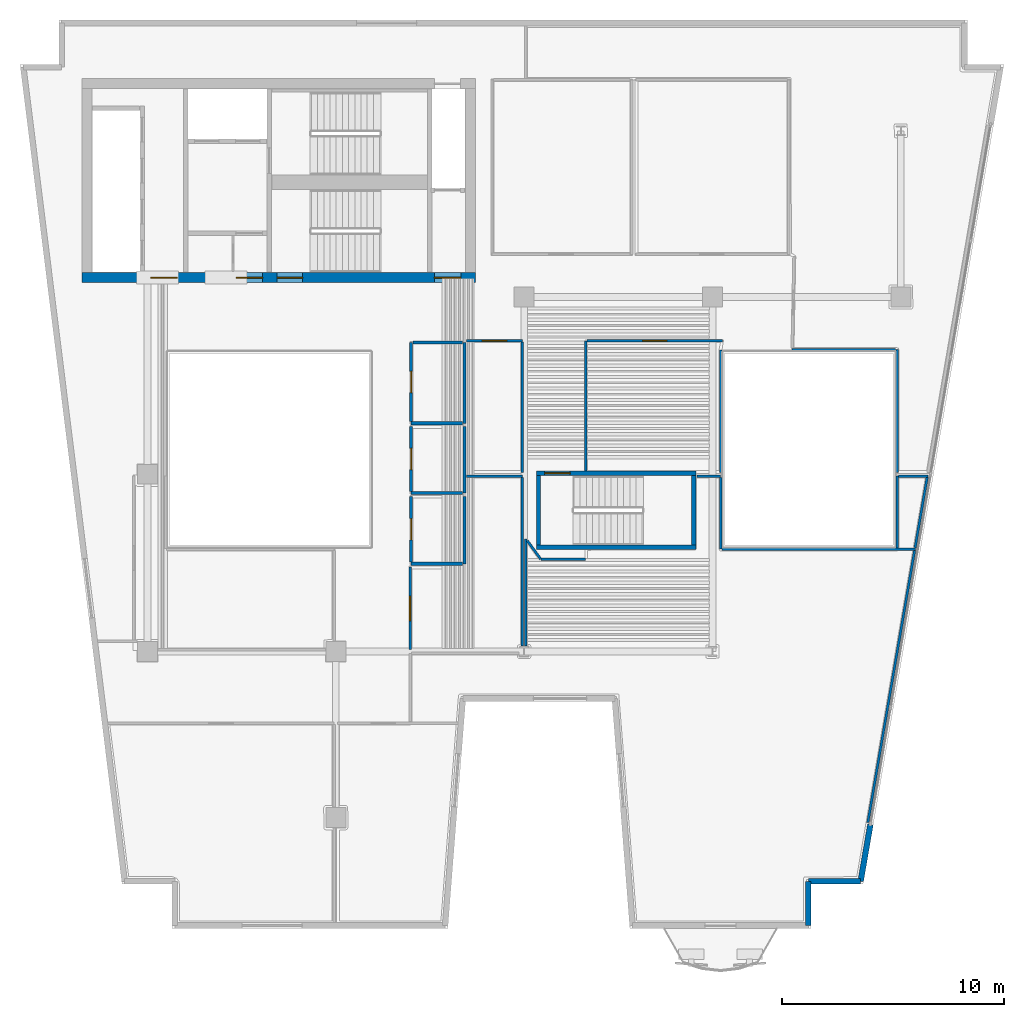
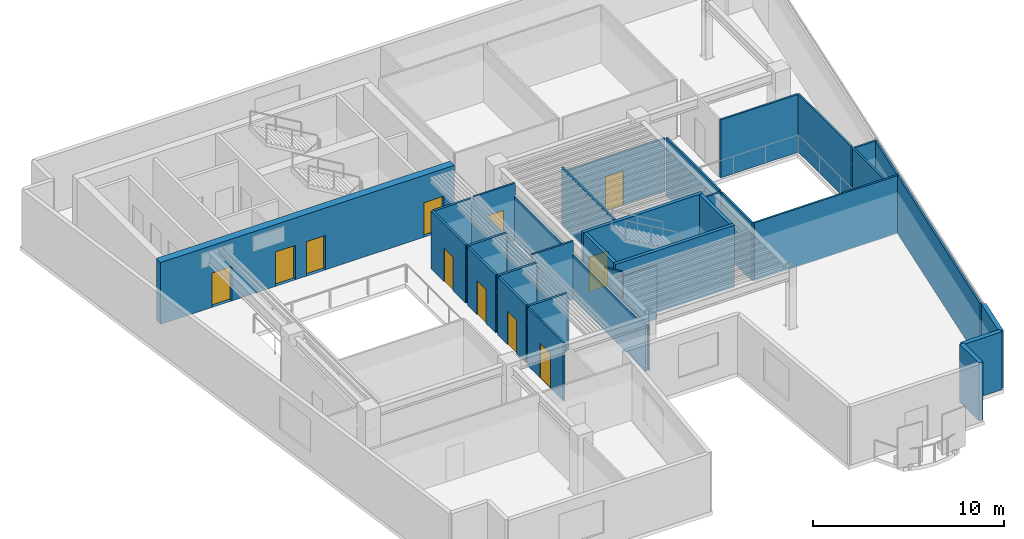
# One storey, part 4 of 10: 38 walls, 11 doors, 11 openings.
"""IFC4 building model written with IfcOpenShell, lengths in metres."""

from ifc_helpers import new_model, si_unit, direction, frame, frame_2d, origin, place, context, subcontext, project, spatial, rectangle, extrude, material, layer, layer_set, type_object, element, fill, save


model = new_model("IFC4")

# Units and contexts
model_context = context("Model", 3, precision=1e-05, world=origin(), true_north=direction((0.0, 1.0)))
body_context = subcontext(model_context, "Body", "Model", "MODEL_VIEW")
ifc_project = project(units=[si_unit("LENGTHUNIT", "METRE"), si_unit("AREAUNIT", "SQUARE_METRE"), si_unit("VOLUMEUNIT", "CUBIC_METRE"), si_unit("PLANEANGLEUNIT", "RADIAN"), si_unit("MASSUNIT", "GRAM", prefix="KILO")], contexts=[model_context])

# Site, building, storey
site_placement = place(None, origin())
site = spatial("IfcSite", under=ifc_project, at=site_placement, CompositionType="ELEMENT")
building_placement = place(site_placement, origin())
building = spatial("IfcBuilding", under=site, at=building_placement, Name="Caeloran Harvest Quay", CompositionType="ELEMENT")
storey_placement = place(building_placement, frame((0.0, 0.0, 191.64990234375)))
storey = spatial("IfcBuildingStorey", under=building, at=storey_placement, Name="L45", CompositionType="ELEMENT", Elevation=191.64990234375)

# Walls
ifc_material_1 = material(Name="Precast concrete C50/60", Category="concrete")
ifc_layer_1 = layer(ifc_material_1, 0.260009765625, Name="Precast concrete C50/60")
ifc_layer_set_1 = layer_set([ifc_layer_1], Name="Precast concrete C50/60")
wall_type_1 = type_object("IfcWallType", Name="ENV-WALL-EW-260", PredefinedType="STANDARD", material=ifc_layer_set_1)
wall_1_placement = place(storey_placement, frame((41.127685546875, 7.1923828125, 0.0), z_axis=(0.0, 0.0, 1.0), x_axis=(-0.169391215599, -0.98554889076, 0.0)))
element("IfcWall", 1, at=wall_1_placement, inside=storey, type_object=wall_type_1, Name="L45 Exterior Facade Corner Pier Wall 9B", PredefinedType="STANDARD", context=body_context, shape_type="SweptSolid", body=[
    extrude(rectangle(XDim=2.60009765625, YDim=0.260009765625, at=frame_2d((1.300048828125, 0.0))), origin(), (0.0, 0.0, 1.0), 3.7001953125),
])
wall_2_placement = place(storey_placement, frame((40.687255859375, 4.6298828125, 0.0), z_axis=(0.0, 0.0, 1.0), x_axis=(-1.0, 0.0, 0.0)))
element("IfcWall", 2, at=wall_2_placement, inside=storey, type_object=wall_type_1, Name="L45 Exterior Precast Concrete Facade Wall 10", PredefinedType="STANDARD", context=body_context, shape_type="SweptSolid", body=[
    extrude(rectangle(XDim=2.3642578125, YDim=0.260009765625, at=frame_2d((1.18212890625, 0.0))), origin(), (0.0, 0.0, 1.0), 3.7001953125),
])
wall_3_placement = place(storey_placement, frame((38.322998046875, 4.6298828125, 0.0), z_axis=(0.0, 0.0, 1.0), x_axis=(0.0, -1.0, 0.0)))
element("IfcWall", 3, at=wall_3_placement, inside=storey, type_object=wall_type_1, Name="L45 Exterior Precast Concrete Facade Wall 11", PredefinedType="STANDARD", context=body_context, shape_type="SweptSolid", body=[
    extrude(rectangle(XDim=2.0, YDim=0.260009765625, at=frame_2d((1.0, 0.0))), origin(), (0.0, 0.0, 1.0), 3.7001953125),
])
ifc_material_2 = material(Name="Single-Stud Acoustic Gypsum Office Partition", Category="gypsum")
ifc_layer_2 = layer(ifc_material_2, 0.112060546875, Name="Single-Stud Acoustic Gypsum Office Partition")
ifc_layer_set_2 = layer_set([ifc_layer_2], Name="Single-Stud Acoustic Gypsum Office Partition")
wall_type_2 = type_object("IfcWallType", Name="INT-WALL-PW-112", PredefinedType="PARTITIONING", material=ifc_layer_set_2)
wall_4_placement = place(storey_placement, frame((25.580078125, 15.248046875, 0.0), z_axis=(0.0, 0.0, 1.0), x_axis=(0.0, 1.0, 0.0)))
element("IfcWall", 4, at=wall_4_placement, inside=storey, type_object=wall_type_2, Name="Commodities Research Office Partition Wall", PredefinedType="PARTITIONING", context=body_context, shape_type="SweptSolid", body=[
    extrude(rectangle(XDim=4.8388671875, YDim=0.112060546875, at=frame_2d((2.41943359375, 0.0))), origin(), (0.0, 0.0, 1.0), 2.885009765625),
])
wall_5_placement = place(storey_placement, frame((25.64111328125, 20.003173828125, 0.0), z_axis=(0.0, 0.0, 1.0), x_axis=(0.588143517869, -0.808756577957, 0.0)))
element("IfcWall", 5, at=wall_5_placement, inside=storey, type_object=wall_type_2, Name="Commodities Research Office Partition Wall", PredefinedType="PARTITIONING", context=body_context, shape_type="SweptSolid", body=[
    extrude(rectangle(XDim=1.0302734375, YDim=0.112060546875, at=frame_2d((0.51513671875, 0.0))), origin(), (0.0, 0.0, 1.0), 3.7001953125),
])
wall_6_placement = place(storey_placement, frame((26.255615234375, 19.169921875, 0.0), z_axis=(0.0, 0.0, 1.0), x_axis=(1.0, 0.0, 0.0)))
element("IfcWall", 6, at=wall_6_placement, inside=storey, type_object=wall_type_2, Name="Commodities Research Office Partition Wall", PredefinedType="PARTITIONING", context=body_context, shape_type="SweptSolid", body=[
    extrude(rectangle(XDim=2.0244140625, YDim=0.112060546875, at=frame_2d((1.01220703125, 0.0))), origin(), (0.0, 0.0, 1.0), 3.385009765625),
])
wall_7_placement = place(storey_placement, frame((33.310791015625, 22.919921875, 0.0), z_axis=(0.0, 0.0, 1.0), x_axis=(1.0, 0.0, 0.0)))
element("IfcWall", 7, at=wall_7_placement, inside=storey, type_object=wall_type_2, Name="Commodities Research Office Partition Wall", PredefinedType="PARTITIONING", context=body_context, shape_type="SweptSolid", body=[
    extrude(rectangle(XDim=1.059326171875, YDim=0.112060546875, at=frame_2d((0.52978515625, 0.0))), origin(), (0.0, 0.0, 1.0), 3.7001953125),
])
wall_8_placement = place(storey_placement, frame((34.3701171875, 22.85888671875, 0.0), z_axis=(0.0, 0.0, 1.0), x_axis=(0.0, -1.0, 0.0)))
element("IfcWall", 8, at=wall_8_placement, inside=storey, type_object=wall_type_2, Name="Commodities Research Office Partition Wall", PredefinedType="PARTITIONING", context=body_context, shape_type="SweptSolid", body=[
    extrude(rectangle(XDim=3.23876953125, YDim=0.112060546875, at=frame_2d((1.619384765625, 0.0))), origin(), (0.0, 0.0, 1.0), 3.7001953125),
])
wall_9_placement = place(storey_placement, frame((34.430908203125, 19.6201171875, 0.0), z_axis=(0.0, 0.0, 1.0), x_axis=(1.0, 0.0, 0.0)))
element("IfcWall", 9, at=wall_9_placement, inside=storey, type_object=wall_type_2, Name="Commodities Research Office Partition Wall", PredefinedType="PARTITIONING", context=body_context, shape_type="SweptSolid", body=[
    extrude(rectangle(XDim=8.72607421875, YDim=0.112060546875, at=frame_2d((4.363037109375, 0.0))), origin(), (0.0, 0.0, 1.0), 3.7001953125),
])
wall_10_placement = place(storey_placement, frame((42.330078125, 19.680908203125, 0.0), z_axis=(0.0, 0.0, 1.0), x_axis=(0.0, 1.0, 0.0)))
element("IfcWall", 10, at=wall_10_placement, inside=storey, type_object=wall_type_2, Name="Commodities Research Office Partition Wall", PredefinedType="PARTITIONING", context=body_context, shape_type="SweptSolid", body=[
    extrude(rectangle(XDim=3.239013671875, YDim=0.112060546875, at=frame_2d((1.61962890625, 0.0))), origin(), (0.0, 0.0, 1.0), 3.7001953125),
])
wall_11_placement = place(storey_placement, frame((42.39111328125, 22.919921875, 0.0), z_axis=(0.0, 0.0, 1.0), x_axis=(1.0, 0.0, 0.0)))
element("IfcWall", 11, at=wall_11_placement, inside=storey, type_object=wall_type_2, Name="Commodities Research Office Partition Wall", PredefinedType="PARTITIONING", context=body_context, shape_type="SweptSolid", body=[
    extrude(rectangle(XDim=1.333251953125, YDim=0.112060546875, at=frame_2d((0.66650390625, 0.0))), origin(), (0.0, 0.0, 1.0), 3.7001953125),
])
wall_12_placement = place(storey_placement, frame((43.6884765625, 22.85888671875, 0.0), z_axis=(0.0, 0.0, 1.0), x_axis=(-0.169369383288, -0.985552642939, 0.0)))
element("IfcWall", 12, at=wall_12_placement, inside=storey, type_object=wall_type_2, Name="Commodities Research Office Partition Wall", PredefinedType="PARTITIONING", context=body_context, shape_type="SweptSolid", body=[
    extrude(rectangle(XDim=3.224609375, YDim=0.112060546875, at=frame_2d((1.6123046875, 0.0))), origin(), (0.0, 0.0, 1.0), 3.7001953125),
])
wall_13_placement = place(storey_placement, frame((43.121337890625, 19.55908203125, 0.0), z_axis=(0.0, 0.0, 1.0), x_axis=(-0.169383185032, -0.98555027098, 0.0)))
element("IfcWall", 13, at=wall_13_placement, inside=storey, type_object=wall_type_2, Name="Commodities Research Office Partition Wall", PredefinedType="PARTITIONING", context=body_context, shape_type="SweptSolid", body=[
    extrude(rectangle(XDim=12.45751953125, YDim=0.112060546875, at=frame_2d((6.228759765625, 0.0))), origin(), (0.0, 0.0, 1.0), 3.7001953125),
])
wall_14_placement = place(storey_placement, frame((22.909912109375, 22.919921875, 0.0), z_axis=(0.0, 0.0, 1.0), x_axis=(1.0, 0.0, 0.0)))
element("IfcWall", 14, at=wall_14_placement, inside=storey, type_object=wall_type_2, Name="Managing Director Corner Office Partition Wall", PredefinedType="PARTITIONING", context=body_context, shape_type="SweptSolid", body=[
    extrude(rectangle(XDim=2.510009765625, YDim=0.112060546875, at=frame_2d((1.2548828125, 0.0))), origin(), (0.0, 0.0, 1.0), 3.7001953125),
])
wall_15_placement = place(storey_placement, frame((25.419921875, 22.85888671875, 0.0), z_axis=(0.0, 0.0, 1.0), x_axis=(0.0, -1.0, 0.0)))
element("IfcWall", 15, at=wall_15_placement, inside=storey, type_object=wall_type_2, Name="Managing Director Corner Office Partition Wall", PredefinedType="PARTITIONING", context=body_context, shape_type="SweptSolid", body=[
    extrude(rectangle(XDim=7.61083984375, YDim=0.112060546875, at=frame_2d((3.805419921875, 0.0))), origin(), (0.0, 0.0, 1.0), 2.885009765625),
])

# Wall, opening, door
wall_16_placement = place(storey_placement, frame((20.35009765625, 15.080078125, 0.0), z_axis=(0.0, 0.0, 1.0), x_axis=(0.0, 1.0, 0.0)))
wall_16 = element("IfcWall", 16, at=wall_16_placement, inside=storey, type_object=wall_type_2, Name="Managing Director Corner Office Partition Wall", PredefinedType="PARTITIONING", context=body_context, shape_type="SweptSolid", body=[
    extrude(rectangle(XDim=3.72998046875, YDim=0.112060546875, at=frame_2d((1.864990234375, 0.0))), origin(), (0.0, 0.0, 1.0), 3.7001953125),
])
opening_1_placement = place(wall_16_placement, frame((1.31494140625, 0.0, 0.0)))
opening_1 = element("IfcOpeningElement", 17, at=opening_1_placement, cuts=wall_16, Name="Opening ID-04", PredefinedType="OPENING", context=body_context, shape_type="SweptSolid", body=[
    extrude(rectangle(XDim=1.10009765625, YDim=2.199951171875, at=frame_2d((0.550048828125, 1.10009765625))), frame((0.0, 0.06591796875, 0.0), z_axis=(0.0, -1.0, 0.0), x_axis=(1.0, 0.0, 0.0)), (0.0, 0.0, 1.0), 0.132080078125),
])
ifc_material_3 = material(Name="Acoustic Walnut Veneer Executive Door", Category="wood")
door_type_1 = type_object("IfcDoorType", Name="INTDOOR-ID-04", OperationType="NOTDEFINED", PredefinedType="DOOR", material=ifc_material_3)
door_1_placement = place(opening_1_placement, origin())
door_1 = element("IfcDoor", 18, at=door_1_placement, inside=storey, type_object=door_type_1, Name="Managing Director Corner Office Access Door", OperationType="SINGLE_SWING_LEFT", OverallHeight=2.199951171875, OverallWidth=1.10009765625, PredefinedType="DOOR", context=body_context, shape_type="SweptSolid", body=[
    extrude(rectangle(XDim=1.10009765625, YDim=2.199951171875, at=frame_2d((0.550048828125, 1.10009765625))), frame((0.0, 0.02490234375, 0.0), z_axis=(0.0, -1.0, 0.0), x_axis=(1.0, 0.0, 0.0)), (0.0, 0.0, 1.0), 0.050048828125),
])
fill(opening_1, door_1)

wall_17_placement = place(storey_placement, frame((22.909912109375, 29.02001953125, 0.0), z_axis=(0.0, 0.0, 1.0), x_axis=(1.0, 0.0, 0.0)))
wall_17 = element("IfcWall", 19, at=wall_17_placement, inside=storey, type_object=wall_type_2, Name="Harbour View Boardroom Partition Wall", PredefinedType="PARTITIONING", context=body_context, shape_type="SweptSolid", body=[
    extrude(rectangle(XDim=2.510009765625, YDim=0.112060546875, at=frame_2d((1.2548828125, 0.0))), origin(), (0.0, 0.0, 1.0), 3.7001953125),
])
opening_2_placement = place(wall_17_placement, frame((0.705078125, 0.0, 0.0)))
opening_2 = element("IfcOpeningElement", 20, at=opening_2_placement, cuts=wall_17, Name="Opening ID-04", PredefinedType="OPENING", context=body_context, shape_type="SweptSolid", body=[
    extrude(rectangle(XDim=1.10009765625, YDim=2.199951171875, at=frame_2d((0.550048828125, 1.10009765625))), frame((0.0, 0.06591796875, 0.0), z_axis=(0.0, -1.0, 0.0), x_axis=(1.0, 0.0, 0.0)), (0.0, 0.0, 1.0), 0.132080078125),
])
door_2_placement = place(opening_2_placement, origin())
door_2 = element("IfcDoor", 21, at=door_2_placement, inside=storey, type_object=door_type_1, Name="Harbour View Boardroom Access Door", OperationType="SINGLE_SWING_RIGHT", OverallHeight=2.199951171875, OverallWidth=1.10009765625, PredefinedType="DOOR", context=body_context, shape_type="SweptSolid", body=[
    extrude(rectangle(XDim=1.10009765625, YDim=2.199951171875, at=frame_2d((0.550048828125, 1.10009765625))), frame((0.0, 0.02490234375, 0.0), z_axis=(0.0, -1.0, 0.0), x_axis=(1.0, 0.0, 0.0)), (0.0, 0.0, 1.0), 0.050048828125),
])
fill(opening_2, door_2)

# Walls
wall_18_placement = place(storey_placement, frame((25.419921875, 28.958984375, 0.0), z_axis=(0.0, 0.0, 1.0), x_axis=(0.0, -1.0, 0.0)))
element("IfcWall", 22, at=wall_18_placement, inside=storey, type_object=wall_type_2, Name="Harbour View Boardroom Partition Wall", PredefinedType="PARTITIONING", context=body_context, shape_type="SweptSolid", body=[
    extrude(rectangle(XDim=5.87890625, YDim=0.112060546875, at=frame_2d((2.939453125, 0.0))), origin(), (0.0, 0.0, 1.0), 2.885009765625),
])
wall_19_placement = place(storey_placement, frame((34.3701171875, 28.60009765625, 0.0), z_axis=(0.0, 0.0, 1.0), x_axis=(0.0, -1.0, 0.0)))
element("IfcWall", 23, at=wall_19_placement, inside=storey, type_object=wall_type_2, Name="Client Hospitality Lounge Partition Wall", PredefinedType="PARTITIONING", context=body_context, shape_type="SweptSolid", body=[
    extrude(rectangle(XDim=5.52001953125, YDim=0.112060546875, at=frame_2d((2.760009765625, 0.0))), origin(), (0.0, 0.0, 1.0), 3.7001953125),
])
wall_20_placement = place(storey_placement, frame((28.280029296875, 23.155029296875, 0.0), z_axis=(0.0, 0.0, 1.0), x_axis=(0.0, 1.0, 0.0)))
element("IfcWall", 24, at=wall_20_placement, inside=storey, type_object=wall_type_2, Name="Client Hospitality Lounge Partition Wall", PredefinedType="PARTITIONING", context=body_context, shape_type="SweptSolid", body=[
    extrude(rectangle(XDim=5.864990234375, YDim=0.112060546875, at=frame_2d((2.9326171875, 0.0))), origin(), (0.0, 0.0, 1.0), 3.7001953125),
])

# Wall, opening, door
wall_21_placement = place(storey_placement, frame((28.341064453125, 29.02001953125, 0.0), z_axis=(0.0, 0.0, 1.0), x_axis=(1.0, 0.0, 0.0)))
wall_21 = element("IfcWall", 25, at=wall_21_placement, inside=storey, type_object=wall_type_2, Name="Client Hospitality Lounge Partition Wall", PredefinedType="PARTITIONING", context=body_context, shape_type="SweptSolid", body=[
    extrude(rectangle(XDim=6.11083984375, YDim=0.112060546875, at=frame_2d((3.055419921875, 0.0))), origin(), (0.0, 0.0, 1.0), 3.385009765625),
])
opening_3_placement = place(wall_21_placement, frame((2.505615234375, 0.0, 0.0)))
opening_3 = element("IfcOpeningElement", 26, at=opening_3_placement, cuts=wall_21, Name="Opening ID-04", PredefinedType="OPENING", context=body_context, shape_type="SweptSolid", body=[
    extrude(rectangle(XDim=1.10009765625, YDim=2.199951171875, at=frame_2d((0.550048828125, 1.10009765625))), frame((0.0, 0.06591796875, 0.0), z_axis=(0.0, -1.0, 0.0), x_axis=(1.0, 0.0, 0.0)), (0.0, 0.0, 1.0), 0.132080078125),
])
door_3_placement = place(opening_3_placement, origin())
door_3 = element("IfcDoor", 27, at=door_3_placement, inside=storey, type_object=door_type_1, Name="Client Hospitality Lounge Access Door", OperationType="SINGLE_SWING_LEFT", OverallHeight=2.199951171875, OverallWidth=1.10009765625, PredefinedType="DOOR", context=body_context, shape_type="SweptSolid", body=[
    extrude(rectangle(XDim=1.10009765625, YDim=2.199951171875, at=frame_2d((0.550048828125, 1.10009765625))), frame((0.0, 0.02490234375, 0.0), z_axis=(0.0, -1.0, 0.0), x_axis=(1.0, 0.0, 0.0)), (0.0, 0.0, 1.0), 0.050048828125),
])
fill(opening_3, door_3)

# Walls
wall_22_placement = place(storey_placement, frame((42.330078125, 23.080078125, 0.0), z_axis=(0.0, 0.0, 1.0), x_axis=(0.0, 1.0, 0.0)))
element("IfcWall", 28, at=wall_22_placement, inside=storey, type_object=wall_type_2, Name="Records Archive Laboratory Partition Wall", PredefinedType="PARTITIONING", context=body_context, shape_type="SweptSolid", body=[
    extrude(rectangle(XDim=5.5498046875, YDim=0.112060546875, at=frame_2d((2.77490234375, 0.0))), origin(), (0.0, 0.0, 1.0), 3.7001953125),
])
wall_23_placement = place(storey_placement, frame((42.26904296875, 28.6298828125, 0.0), z_axis=(0.0, 0.0, 1.0), x_axis=(-1.0, 0.0, 0.0)))
element("IfcWall", 29, at=wall_23_placement, inside=storey, type_object=wall_type_2, Name="Records Archive Laboratory Partition Wall", PredefinedType="PARTITIONING", context=body_context, shape_type="SweptSolid", body=[
    extrude(rectangle(XDim=4.671142578125, YDim=0.112060546875, at=frame_2d((2.33544921875, 0.0))), origin(), (0.0, 0.0, 1.0), 3.7001953125),
])
ifc_material_4 = material(Name="Moisture-Resistant Cement-Board Sanitary Partition", Category="gypsum")
ifc_layer_3 = layer(ifc_material_4, 0.139892578125, Name="Moisture-Resistant Cement-Board Sanitary Partition")
ifc_layer_set_3 = layer_set([ifc_layer_3], Name="Moisture-Resistant Cement-Board Sanitary Partition")
wall_type_3 = type_object("IfcWallType", Name="INT-WALL-PW-140", PredefinedType="PARTITIONING", material=ifc_layer_set_3)
wall_24_placement = place(storey_placement, frame((22.800048828125, 28.949951171875, 0.0), z_axis=(0.0, 0.0, 1.0), x_axis=(0.0, -1.0, 0.0)))
element("IfcWall", 30, at=wall_24_placement, inside=storey, type_object=wall_type_3, Name="L45 Male Washroom WC Partition Wall", PredefinedType="PARTITIONING", context=body_context, shape_type="SweptSolid", body=[
    extrude(rectangle(XDim=3.64990234375, YDim=0.139892578125, at=frame_2d((1.824951171875, 0.0))), origin(), (0.0, 0.0, 1.0), 3.385009765625),
])
wall_25_placement = place(storey_placement, frame((22.72509765625, 25.300048828125, 0.0), z_axis=(0.0, 0.0, 1.0), x_axis=(-1.0, 0.0, 0.0)))
element("IfcWall", 31, at=wall_25_placement, inside=storey, type_object=wall_type_3, Name="L45 Male Washroom WC Partition Wall", PredefinedType="PARTITIONING", context=body_context, shape_type="SweptSolid", body=[
    extrude(rectangle(XDim=2.3251953125, YDim=0.139892578125, at=frame_2d((1.16259765625, 0.0))), origin(), (0.0, 0.0, 1.0), 3.7001953125),
])

# Wall, opening, door
wall_26_placement = place(storey_placement, frame((20.39990234375, 25.375, 0.0), z_axis=(0.0, 0.0, 1.0), x_axis=(0.0, 1.0, 0.0)))
wall_26 = element("IfcWall", 32, at=wall_26_placement, inside=storey, type_object=wall_type_3, Name="L45 Male Washroom WC Partition Wall", PredefinedType="PARTITIONING", context=body_context, shape_type="SweptSolid", body=[
    extrude(rectangle(XDim=3.574951171875, YDim=0.139892578125, at=frame_2d((1.78759765625, 0.0))), origin(), (0.0, 0.0, 1.0), 3.7001953125),
])
opening_4_placement = place(wall_26_placement, frame((1.3125, 0.0, 0.0)))
opening_4 = element("IfcOpeningElement", 33, at=opening_4_placement, cuts=wall_26, Name="Opening WC-01", PredefinedType="OPENING", context=body_context, shape_type="SweptSolid", body=[
    extrude(rectangle(XDim=0.949951171875, YDim=2.14990234375, at=frame_2d((0.47509765625, 1.074951171875))), frame((0.0, 0.080078125, 0.0), z_axis=(0.0, -1.0, 0.0), x_axis=(1.0, 0.0, 0.0)), (0.0, 0.0, 1.0), 0.159912109375),
])
ifc_material_5 = material(Name="High-Pressure Laminate Moisture-Resistant Timber", Category="wood")
door_type_2 = type_object("IfcDoorType", Name="INTDOOR-WC-01", OperationType="NOTDEFINED", PredefinedType="DOOR", material=ifc_material_5)
door_4_placement = place(opening_4_placement, origin())
door_4 = element("IfcDoor", 34, at=door_4_placement, inside=storey, type_object=door_type_2, Name="L45 Male Washroom WC Access Door", OperationType="SINGLE_SWING_RIGHT", OverallHeight=2.14990234375, OverallWidth=0.949951171875, PredefinedType="DOOR", context=body_context, shape_type="SweptSolid", body=[
    extrude(rectangle(XDim=0.949951171875, YDim=2.14990234375, at=frame_2d((0.47509765625, 1.074951171875))), frame((0.0, 0.02490234375, 0.0), z_axis=(0.0, -1.0, 0.0), x_axis=(1.0, 0.0, 0.0)), (0.0, 0.0, 1.0), 0.050048828125),
])
fill(opening_4, door_4)

# Walls
wall_27_placement = place(storey_placement, frame((20.47509765625, 28.949951171875, 0.0), z_axis=(0.0, 0.0, 1.0), x_axis=(1.0, 0.0, 0.0)))
element("IfcWall", 35, at=wall_27_placement, inside=storey, type_object=wall_type_3, Name="L45 Male Washroom WC Partition Wall", PredefinedType="PARTITIONING", context=body_context, shape_type="SweptSolid", body=[
    extrude(rectangle(XDim=2.25, YDim=0.139892578125, at=frame_2d((1.125, 0.0))), origin(), (0.0, 0.0, 1.0), 3.7001953125),
])
wall_28_placement = place(storey_placement, frame((22.800048828125, 25.14990234375, 0.0), z_axis=(0.0, 0.0, 1.0), x_axis=(0.0, -1.0, 0.0)))
element("IfcWall", 36, at=wall_28_placement, inside=storey, type_object=wall_type_3, Name="L45 Female Washroom WC Partition Wall", PredefinedType="PARTITIONING", context=body_context, shape_type="SweptSolid", body=[
    extrude(rectangle(XDim=3.0, YDim=0.139892578125, at=frame_2d((1.5, 0.0))), origin(), (0.0, 0.0, 1.0), 3.385009765625),
])
wall_29_placement = place(storey_placement, frame((22.72509765625, 22.14990234375, 0.0), z_axis=(0.0, 0.0, 1.0), x_axis=(-1.0, 0.0, 0.0)))
element("IfcWall", 37, at=wall_29_placement, inside=storey, type_object=wall_type_3, Name="L45 Female Washroom WC Partition Wall", PredefinedType="PARTITIONING", context=body_context, shape_type="SweptSolid", body=[
    extrude(rectangle(XDim=2.3251953125, YDim=0.139892578125, at=frame_2d((1.16259765625, 0.0))), origin(), (0.0, 0.0, 1.0), 3.7001953125),
])

# Wall, opening, door
wall_30_placement = place(storey_placement, frame((20.39990234375, 22.22509765625, 0.0), z_axis=(0.0, 0.0, 1.0), x_axis=(0.0, 1.0, 0.0)))
wall_30 = element("IfcWall", 38, at=wall_30_placement, inside=storey, type_object=wall_type_3, Name="L45 Female Washroom WC Partition Wall", PredefinedType="PARTITIONING", context=body_context, shape_type="SweptSolid", body=[
    extrude(rectangle(XDim=2.9248046875, YDim=0.139892578125, at=frame_2d((1.46240234375, 0.0))), origin(), (0.0, 0.0, 1.0), 3.7001953125),
])
opening_5_placement = place(wall_30_placement, frame((0.987548828125, 0.0, 0.0)))
opening_5 = element("IfcOpeningElement", 39, at=opening_5_placement, cuts=wall_30, Name="Opening WC-01", PredefinedType="OPENING", context=body_context, shape_type="SweptSolid", body=[
    extrude(rectangle(XDim=0.949951171875, YDim=2.14990234375, at=frame_2d((0.47509765625, 1.074951171875))), frame((0.0, 0.080078125, 0.0), z_axis=(0.0, -1.0, 0.0), x_axis=(1.0, 0.0, 0.0)), (0.0, 0.0, 1.0), 0.159912109375),
])
door_5_placement = place(opening_5_placement, origin())
door_5 = element("IfcDoor", 40, at=door_5_placement, inside=storey, type_object=door_type_2, Name="L45 Female Washroom WC Access Door", OperationType="SINGLE_SWING_LEFT", OverallHeight=2.14990234375, OverallWidth=0.949951171875, PredefinedType="DOOR", context=body_context, shape_type="SweptSolid", body=[
    extrude(rectangle(XDim=0.949951171875, YDim=2.14990234375, at=frame_2d((0.47509765625, 1.074951171875))), frame((0.0, 0.02490234375, 0.0), z_axis=(0.0, -1.0, 0.0), x_axis=(1.0, 0.0, 0.0)), (0.0, 0.0, 1.0), 0.050048828125),
])
fill(opening_5, door_5)

# Walls
wall_31_placement = place(storey_placement, frame((22.800048828125, 22.0, 0.0), z_axis=(0.0, 0.0, 1.0), x_axis=(0.0, -1.0, 0.0)))
element("IfcWall", 41, at=wall_31_placement, inside=storey, type_object=wall_type_3, Name="L45 Accessible Unisex Washroom WC Partition Wall", PredefinedType="PARTITIONING", context=body_context, shape_type="SweptSolid", body=[
    extrude(rectangle(XDim=3.0400390625, YDim=0.139892578125, at=frame_2d((1.52001953125, 0.0))), origin(), (0.0, 0.0, 1.0), 3.385009765625),
])
wall_32_placement = place(storey_placement, frame((22.72509765625, 18.9599609375, 0.0), z_axis=(0.0, 0.0, 1.0), x_axis=(-1.0, 0.0, 0.0)))
element("IfcWall", 42, at=wall_32_placement, inside=storey, type_object=wall_type_3, Name="L45 Accessible Unisex Washroom WC Partition Wall", PredefinedType="PARTITIONING", context=body_context, shape_type="SweptSolid", body=[
    extrude(rectangle(XDim=2.3251953125, YDim=0.139892578125, at=frame_2d((1.16259765625, 0.0))), origin(), (0.0, 0.0, 1.0), 3.7001953125),
])

# Wall, opening, door
wall_33_placement = place(storey_placement, frame((20.39990234375, 19.034912109375, 0.0), z_axis=(0.0, 0.0, 1.0), x_axis=(0.0, 1.0, 0.0)))
wall_33 = element("IfcWall", 43, at=wall_33_placement, inside=storey, type_object=wall_type_3, Name="L45 Accessible Unisex Washroom WC Partition Wall", PredefinedType="PARTITIONING", context=body_context, shape_type="SweptSolid", body=[
    extrude(rectangle(XDim=2.965087890625, YDim=0.139892578125, at=frame_2d((1.482421875, 0.0))), origin(), (0.0, 0.0, 1.0), 3.7001953125),
])
opening_6_placement = place(wall_33_placement, frame((1.007568359375, 0.0, 0.0)))
opening_6 = element("IfcOpeningElement", 44, at=opening_6_placement, cuts=wall_33, Name="Opening WC-01", PredefinedType="OPENING", context=body_context, shape_type="SweptSolid", body=[
    extrude(rectangle(XDim=0.949951171875, YDim=2.14990234375, at=frame_2d((0.47509765625, 1.074951171875))), frame((0.0, 0.080078125, 0.0), z_axis=(0.0, -1.0, 0.0), x_axis=(1.0, 0.0, 0.0)), (0.0, 0.0, 1.0), 0.159912109375),
])
door_6_placement = place(opening_6_placement, origin())
door_6 = element("IfcDoor", 45, at=door_6_placement, inside=storey, type_object=door_type_2, Name="L45 Accessible Unisex Washroom WC Access Door", OperationType="SINGLE_SWING_RIGHT", OverallHeight=2.14990234375, OverallWidth=0.949951171875, PredefinedType="DOOR", context=body_context, shape_type="SweptSolid", body=[
    extrude(rectangle(XDim=0.949951171875, YDim=2.14990234375, at=frame_2d((0.47509765625, 1.074951171875))), frame((0.0, 0.02490234375, 0.0), z_axis=(0.0, -1.0, 0.0), x_axis=(1.0, 0.0, 0.0)), (0.0, 0.0, 1.0), 0.050048828125),
])
fill(opening_6, door_6)

# Wall, openings, doors
ifc_material_6 = material(Name="Concrete C60/75", Category="concrete")
ifc_layer_4 = layer(ifc_material_6, 0.449951171875, Name="Concrete C60/75")
ifc_layer_set_4 = layer_set([ifc_layer_4], Name="Concrete C60/75")
wall_type_4 = type_object("IfcWallType", Name="STR-WALL-CW-450", PredefinedType="SHEAR", material=ifc_layer_set_4)
wall_34_placement = place(storey_placement, frame((5.550048828125, 31.875, 0.0), z_axis=(0.0, 0.0, 1.0), x_axis=(1.0, 0.0, 0.0)))
wall_34 = element("IfcWall", 46, at=wall_34_placement, inside=storey, type_object=wall_type_4, Name="L45 Rear Core Shear Wall S", PredefinedType="SHEAR", context=body_context, shape_type="SweptSolid", body=[
    extrude(rectangle(XDim=17.75, YDim=0.449951171875, at=frame_2d((8.875, 0.0))), origin(), (0.0, 0.0, 1.0), 3.9501953125),
])
opening_7_placement = place(wall_34_placement, frame((3.10009765625, 0.0, 0.0)))
opening_7 = element("IfcOpeningElement", 47, at=opening_7_placement, cuts=wall_34, Name="Opening FD-01", PredefinedType="OPENING", context=body_context, shape_type="SweptSolid", body=[
    extrude(rectangle(XDim=1.199951171875, YDim=2.199951171875, at=frame_2d((0.60009765625, 1.10009765625))), frame((0.0, 0.23486328125, 0.0), z_axis=(0.0, -1.0, 0.0), x_axis=(1.0, 0.0, 0.0)), (0.0, 0.0, 1.0), 0.469970703125),
])
opening_8_placement = place(wall_34_placement, frame((6.949951171875, 0.0, 0.0)))
opening_8 = element("IfcOpeningElement", 48, at=opening_8_placement, cuts=wall_34, Name="Opening FD-01", PredefinedType="OPENING", context=body_context, shape_type="SweptSolid", body=[
    extrude(rectangle(XDim=1.199951171875, YDim=2.199951171875, at=frame_2d((0.60009765625, 1.10009765625))), frame((0.0, 0.23486328125, 0.0), z_axis=(0.0, -1.0, 0.0), x_axis=(1.0, 0.0, 0.0)), (0.0, 0.0, 1.0), 0.469970703125),
])
opening_9_placement = place(wall_34_placement, frame((8.800048828125, 0.0, 0.0)))
opening_9 = element("IfcOpeningElement", 49, at=opening_9_placement, cuts=wall_34, Name="Opening SD-01", PredefinedType="OPENING", context=body_context, shape_type="SweptSolid", body=[
    extrude(rectangle(XDim=1.14990234375, YDim=2.199951171875, at=frame_2d((0.574951171875, 1.10009765625))), frame((0.0, 0.23486328125, 0.0), z_axis=(0.0, -1.0, 0.0), x_axis=(1.0, 0.0, 0.0)), (0.0, 0.0, 1.0), 0.469970703125),
])
opening_10_placement = place(wall_34_placement, frame((15.89990234375, 0.0, 0.0)))
opening_10 = element("IfcOpeningElement", 50, at=opening_10_placement, cuts=wall_34, Name="Opening FD-01", PredefinedType="OPENING", context=body_context, shape_type="SweptSolid", body=[
    extrude(rectangle(XDim=1.199951171875, YDim=2.199951171875, at=frame_2d((0.60009765625, 1.10009765625))), frame((0.0, 0.23486328125, 0.0), z_axis=(0.0, -1.0, 0.0), x_axis=(1.0, 0.0, 0.0)), (0.0, 0.0, 1.0), 0.469970703125),
])
ifc_material_7 = material(Name="Steel", Category="steel")
door_type_3 = type_object("IfcDoorType", Name="INTDOOR-FD-01", OperationType="NOTDEFINED", PredefinedType="DOOR", material=ifc_material_7)
door_7_placement = place(opening_7_placement, origin())
door_7 = element("IfcDoor", 51, at=door_7_placement, inside=storey, type_object=door_type_3, Name="L45 High-Rise Lift Lobby Fire Door", OperationType="SINGLE_SWING_RIGHT", OverallHeight=2.199951171875, OverallWidth=1.199951171875, PredefinedType="DOOR", context=body_context, shape_type="SweptSolid", body=[
    extrude(rectangle(XDim=1.199951171875, YDim=2.199951171875, at=frame_2d((0.60009765625, 1.10009765625))), frame((0.0, 0.02490234375, 0.0), z_axis=(0.0, -1.0, 0.0), x_axis=(1.0, 0.0, 0.0)), (0.0, 0.0, 1.0), 0.050048828125),
])
fill(opening_7, door_7)
door_8_placement = place(opening_8_placement, origin())
door_8 = element("IfcDoor", 52, at=door_8_placement, inside=storey, type_object=door_type_3, Name="L45 Firefighting Lobby Vestibule Fire Door", OperationType="SINGLE_SWING_LEFT", OverallHeight=2.199951171875, OverallWidth=1.199951171875, PredefinedType="DOOR", context=body_context, shape_type="SweptSolid", body=[
    extrude(rectangle(XDim=1.199951171875, YDim=2.199951171875, at=frame_2d((0.60009765625, 1.10009765625))), frame((0.0, 0.02490234375, 0.0), z_axis=(0.0, -1.0, 0.0), x_axis=(1.0, 0.0, 0.0)), (0.0, 0.0, 1.0), 0.050048828125),
])
fill(opening_8, door_8)
door_9_placement = place(opening_10_placement, origin())
door_9 = element("IfcDoor", 53, at=door_9_placement, inside=storey, type_object=door_type_3, Name="L45 Service Lift Lobby Fire Door", OperationType="SINGLE_SWING_LEFT", OverallHeight=2.199951171875, OverallWidth=1.199951171875, PredefinedType="DOOR", context=body_context, shape_type="SweptSolid", body=[
    extrude(rectangle(XDim=1.199951171875, YDim=2.199951171875, at=frame_2d((0.60009765625, 1.10009765625))), frame((0.0, 0.02490234375, 0.0), z_axis=(0.0, -1.0, 0.0), x_axis=(1.0, 0.0, 0.0)), (0.0, 0.0, 1.0), 0.050048828125),
])
fill(opening_10, door_9)
door_type_4 = type_object("IfcDoorType", Name="INTDOOR-SD-01", OperationType="NOTDEFINED", PredefinedType="DOOR", material=ifc_material_7)
door_10_placement = place(opening_9_placement, origin())
door_10 = element("IfcDoor", 54, at=door_10_placement, inside=storey, type_object=door_type_4, Name="L45 Protected Stair ST-C2 Exit Door", OperationType="SINGLE_SWING_RIGHT", OverallHeight=2.199951171875, OverallWidth=1.14990234375, PredefinedType="DOOR", context=body_context, shape_type="SweptSolid", body=[
    extrude(rectangle(XDim=1.14990234375, YDim=2.199951171875, at=frame_2d((0.574951171875, 1.10009765625))), frame((0.0, 0.02490234375, 0.0), z_axis=(0.0, -1.0, 0.0), x_axis=(1.0, 0.0, 0.0)), (0.0, 0.0, 1.0), 0.050048828125),
])
fill(opening_9, door_10)

# Wall
ifc_layer_5 = layer(ifc_material_6, 0.199951171875, Name="Concrete C60/75")
ifc_layer_set_5 = layer_set([ifc_layer_5], Name="Concrete C60/75")
wall_type_5 = type_object("IfcWallType", Name="STR-WALL-SW-200", PredefinedType="SHEAR", material=ifc_layer_set_5)
wall_35_placement = place(storey_placement, frame((26.050048828125, 19.699951171875, 0.0), z_axis=(0.0, 0.0, 1.0), x_axis=(1.0, 0.0, 0.0)))
element("IfcWall", 55, at=wall_35_placement, inside=storey, type_object=wall_type_5, Name="L45 Stair ST-W1 S RC Shaft Shear Wall", PredefinedType="SHEAR", context=body_context, shape_type="SweptSolid", body=[
    extrude(rectangle(XDim=7.199951171875, YDim=0.199951171875, at=frame_2d((3.60009765625, 0.0))), origin(), (0.0, 0.0, 1.0), 3.9501953125),
])

# Wall, opening, door
wall_36_placement = place(storey_placement, frame((26.050048828125, 23.050048828125, 0.0), z_axis=(0.0, 0.0, 1.0), x_axis=(1.0, 0.0, 0.0)))
wall_36 = element("IfcWall", 56, at=wall_36_placement, inside=storey, type_object=wall_type_5, Name="L45 Stair ST-W1 N RC Shaft Shear Wall", PredefinedType="SHEAR", context=body_context, shape_type="SweptSolid", body=[
    extrude(rectangle(XDim=7.199951171875, YDim=0.199951171875, at=frame_2d((3.60009765625, 0.0))), origin(), (0.0, 0.0, 1.0), 3.9501953125),
])
opening_11_placement = place(wall_36_placement, frame((0.3798828125, 0.0, 0.0)))
opening_11 = element("IfcOpeningElement", 57, at=opening_11_placement, cuts=wall_36, Name="Opening SD-01", PredefinedType="OPENING", context=body_context, shape_type="SweptSolid", body=[
    extrude(rectangle(XDim=1.14990234375, YDim=2.199951171875, at=frame_2d((0.574951171875, 1.10009765625))), frame((0.0, 0.10986328125, 0.0), z_axis=(0.0, -1.0, 0.0), x_axis=(1.0, 0.0, 0.0)), (0.0, 0.0, 1.0), 0.219970703125),
])
door_11_placement = place(opening_11_placement, origin())
door_11 = element("IfcDoor", 58, at=door_11_placement, inside=storey, type_object=door_type_4, Name="L45 Protected Exit Stair ST-W1 Fire Door", OperationType="SINGLE_SWING_LEFT", OverallHeight=2.199951171875, OverallWidth=1.14990234375, PredefinedType="DOOR", context=body_context, shape_type="SweptSolid", body=[
    extrude(rectangle(XDim=1.14990234375, YDim=2.199951171875, at=frame_2d((0.574951171875, 1.10009765625))), frame((0.0, 0.02490234375, 0.0), z_axis=(0.0, -1.0, 0.0), x_axis=(1.0, 0.0, 0.0)), (0.0, 0.0, 1.0), 0.050048828125),
])
fill(opening_11, door_11)

# Walls
for number, where, z_axis, x_axis, name in (
    (59, (26.14990234375, 19.81005859375, 0.0), (0.0, 0.0, 1.0), (0.0, 1.0, 0.0), "L45 Stair ST-W1 W RC Shaft Shear Wall"),
    (60, (33.14990234375, 19.81005859375, 0.0), (0.0, 0.0, 1.0), (0.0, 1.0, 0.0), "L45 Stair ST-W1 E RC Shaft Shear Wall"),
):
    element("IfcWall", number, at=place(storey_placement, frame(where, z_axis=z_axis, x_axis=x_axis)), inside=storey, type_object=wall_type_5, Name=name, PredefinedType="SHEAR", context=body_context, shape_type="SweptSolid", body=[
        extrude(rectangle(XDim=3.1298828125, YDim=0.199951171875, at=frame_2d((1.56494140625, 0.0))), origin(), (0.0, 0.0, 1.0), 3.9501953125),
    ])

save(model, "model.ifc")
